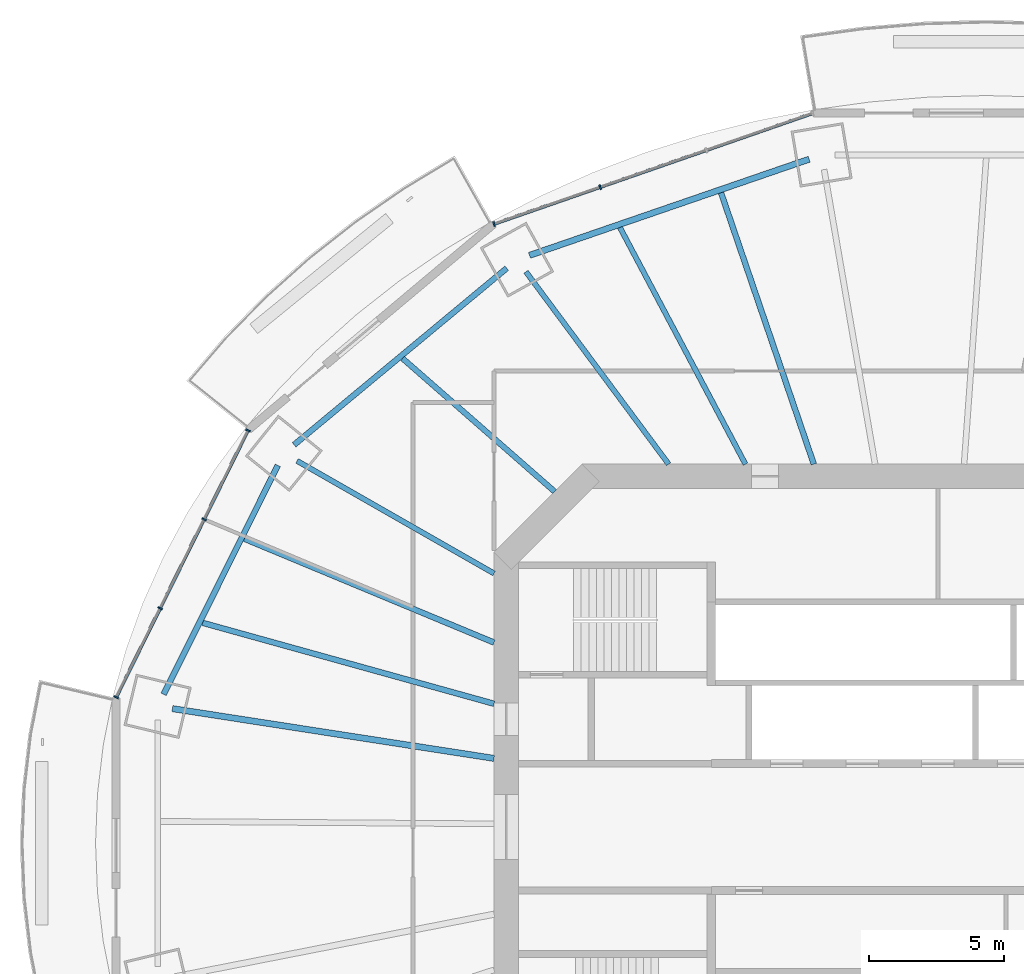
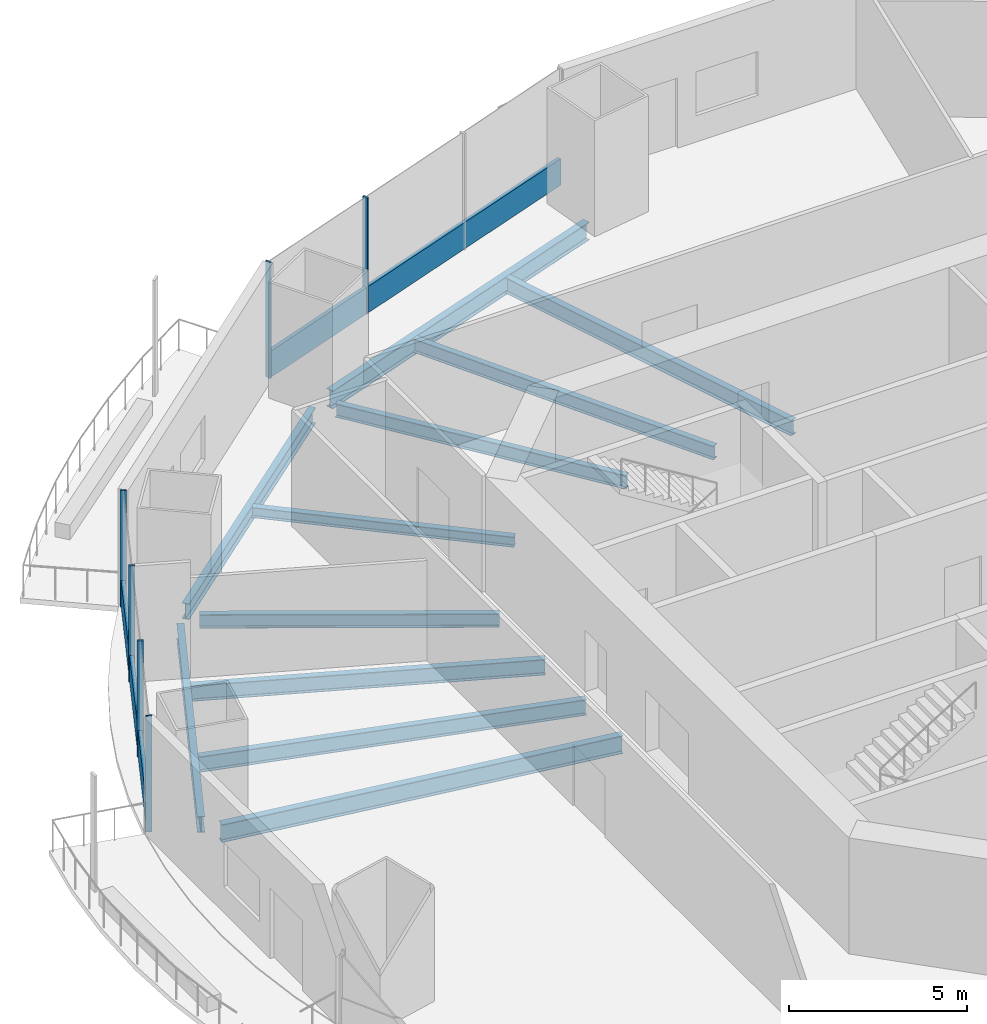
# One storey, part 6 of 21: 11 beams, 8 members, 2 elements without a shape of their own.
"""IFC4 building model written with IfcOpenShell, lengths in metres."""

from ifc_helpers import new_model, si_unit, direction, frame, origin, origin_2d, place, context, subcontext, project, spatial, rectangle, i_section, extrude, material, material_profile, profile_set, type_object, element, aggregate, save


model = new_model("IFC4")

# Units and contexts
model_context = context("Model", 3, precision=1e-05, world=origin(), true_north=direction((0.0, 1.0)))
body_context = subcontext(model_context, "Body", "Model", "MODEL_VIEW")
ifc_project = project(units=[si_unit("LENGTHUNIT", "METRE"), si_unit("AREAUNIT", "SQUARE_METRE"), si_unit("VOLUMEUNIT", "CUBIC_METRE"), si_unit("PLANEANGLEUNIT", "RADIAN"), si_unit("MASSUNIT", "GRAM", prefix="KILO")], contexts=[model_context])

# Site, building, storey
site_placement = place(None, origin())
site = spatial("IfcSite", under=ifc_project, at=site_placement, CompositionType="ELEMENT")
building_placement = place(site_placement, origin())
building = spatial("IfcBuilding", under=site, at=building_placement, Name="Marenthal Gate Tower", CompositionType="ELEMENT")
storey_placement = place(building_placement, frame((0.0, 0.0, 161.050048828125)))
storey = spatial("IfcBuildingStorey", under=building, at=storey_placement, Name="L34", CompositionType="ELEMENT", Elevation=161.050048828125)

# Curtain wall, members
ifc_material_1 = material(Name="Aluminium and glass", Category="aluminium")
curtain_wall_type = type_object("IfcCurtainWallType", Name="Curtain wall typical mid", PredefinedType="NOTDEFINED", material=ifc_material_1)
curtain_wall_1_placement = place(storey_placement, origin())
curtain_wall_1 = element("IfcCurtainWall", 1, at=curtain_wall_1_placement, inside=storey, type_object=curtain_wall_type, Name="Curtain wall L34 bay 5", PredefinedType="NOTDEFINED")
ifc_material_2 = material(Name="Aluminium", Category="aluminium")
ifc_material_profile_1 = material_profile(ifc_material_2, rectangle(XDim=0.179931640625, YDim=0.06005859375, at=origin_2d()), Name="60x180 aluminium mullion")
ifc_profile_set_1 = profile_set([ifc_material_profile_1], Name="Aluminium")
member_type_1 = type_object("IfcMemberType", Name="Mullion 60x180 typical mid", PredefinedType="MULLION", material=ifc_profile_set_1)
member_1_placement = place(storey_placement, frame((-12.51513671875, 23.718505859375, 0.0), z_axis=(0.0, 0.0, 1.0), x_axis=(0.328157600538, -0.944622987868, 0.0)))
member_1 = element("IfcMember", 2, at=member_1_placement, type_object=member_type_1, Name="Mullion L34 bay 5.3", PredefinedType="MULLION", context=body_context, shape_type="SweptSolid", body=[
    extrude(rectangle(XDim=0.179931640625, YDim=0.06005859375, at=origin_2d()), origin(), (0.0, 0.0, 1.0), 3.969970703125),
])
member_2_placement = place(storey_placement, frame((-16.44921875, 22.351806640625, 0.0), z_axis=(0.0, 0.0, 1.0), x_axis=(0.328157600538, -0.944622987868, 0.0)))
member_2 = element("IfcMember", 3, at=member_2_placement, type_object=member_type_1, Name="Mullion L34 bay 5.4", PredefinedType="MULLION", context=body_context, shape_type="SweptSolid", body=[
    extrude(rectangle(XDim=0.179931640625, YDim=0.06005859375, at=origin_2d()), origin(), (0.0, 0.0, 1.0), 3.969970703125),
])

curtain_wall_2_placement = place(storey_placement, origin())
curtain_wall_2 = element("IfcCurtainWall", 4, at=curtain_wall_2_placement, inside=storey, type_object=curtain_wall_type, Name="Curtain wall L34 bay 7", PredefinedType="NOTDEFINED")
member_3_placement = place(storey_placement, frame((-25.56787109375, 14.702392578125, 0.0), z_axis=(0.0, 0.0, 1.0), x_axis=(0.896608747182, -0.442823615536, 0.0)))
member_3 = element("IfcMember", 5, at=member_3_placement, type_object=member_type_1, Name="Mullion L34 bay 7.1", PredefinedType="MULLION", context=body_context, shape_type="SweptSolid", body=[
    extrude(rectangle(XDim=0.179931640625, YDim=0.06005859375, at=origin_2d()), origin(), (0.0, 0.0, 1.0), 3.969970703125),
])
member_4_placement = place(storey_placement, frame((-27.1962890625, 11.40478515625, 0.0), z_axis=(0.0, 0.0, 1.0), x_axis=(0.896608747182, -0.442823615536, 0.0)))
member_4 = element("IfcMember", 6, at=member_4_placement, type_object=member_type_1, Name="Mullion L34 bay 7.2", PredefinedType="MULLION", context=body_context, shape_type="SweptSolid", body=[
    extrude(rectangle(XDim=0.179931640625, YDim=0.06005859375, at=origin_2d()), origin(), (0.0, 0.0, 1.0), 3.969970703125),
])
member_5_placement = place(storey_placement, frame((-28.824951171875, 8.107421875, 0.0), z_axis=(0.0, 0.0, 1.0), x_axis=(0.896608747182, -0.442823615536, 0.0)))
member_5 = element("IfcMember", 7, at=member_5_placement, type_object=member_type_1, Name="Mullion L34 bay 7.3", PredefinedType="MULLION", context=body_context, shape_type="SweptSolid", body=[
    extrude(rectangle(XDim=0.179931640625, YDim=0.06005859375, at=origin_2d()), origin(), (0.0, 0.0, 1.0), 3.969970703125),
])
member_6_placement = place(storey_placement, frame((-30.45361328125, 4.809814453125, 0.0), z_axis=(0.0, 0.0, 1.0), x_axis=(0.896608747182, -0.442823615536, 0.0)))
member_6 = element("IfcMember", 8, at=member_6_placement, type_object=member_type_1, Name="Mullion L34 bay 7.4", PredefinedType="MULLION", context=body_context, shape_type="SweptSolid", body=[
    extrude(rectangle(XDim=0.179931640625, YDim=0.06005859375, at=origin_2d()), origin(), (0.0, 0.0, 1.0), 3.969970703125),
])

# Member
ifc_material_3 = material(Name="Aluminium", Category="aluminium")
ifc_material_profile_2 = material_profile(ifc_material_3, rectangle(XDim=0.1201171875, YDim=0.89990234375, at=origin_2d()), Name="120x900 aluminium transom")
ifc_profile_set_2 = profile_set([ifc_material_profile_2], Name="Aluminium")
member_type_2 = type_object("IfcMemberType", Name="Transom 120x900 typical mid", PredefinedType="USERDEFINED", material=ifc_profile_set_2)
member_7_placement = place(storey_placement, frame((-4.675048828125, 26.442138671875, 0.449951171875), z_axis=(-0.944620163821, -0.328165729628, 0.0), x_axis=(0.328165729628, -0.944620163821, 0.0)))
member_7 = element("IfcMember", 9, at=member_7_placement, type_object=member_type_2, Name="Transom L34 bay 5", ObjectType="TRANSOM", PredefinedType="USERDEFINED", context=body_context, shape_type="SweptSolid", body=[
    extrude(rectangle(XDim=0.1201171875, YDim=0.89990234375, at=origin_2d()), origin(), (0.0, 0.0, 1.0), 12.4345703125),
])

aggregate(curtain_wall_1, [member_1, member_2, member_7])

member_8_placement = place(storey_placement, frame((-25.5810546875, 14.675537109375, 0.449951171875), z_axis=(-0.442829775425, -0.896605704865, 0.0), x_axis=(0.896605704865, -0.442829775425, 0.0)))
member_8 = element("IfcMember", 10, at=member_8_placement, type_object=member_type_2, Name="Transom L34 bay 7", ObjectType="TRANSOM", PredefinedType="USERDEFINED", context=body_context, shape_type="SweptSolid", body=[
    extrude(rectangle(XDim=0.1201171875, YDim=0.89990234375, at=origin_2d()), origin(), (0.0, 0.0, 1.0), 10.973388671875),
])

aggregate(curtain_wall_2, [member_3, member_4, member_5, member_6, member_8])

# Beams
ifc_material_4 = material(Name="Steel S355", Category="steel")
ifc_material_profile_3 = material_profile(ifc_material_4, i_section(OverallWidth=0.205078125, OverallDepth=0.35302734375, WebThickness=0.009521484375, FlangeThickness=0.016845703125, FilletRadius=0.014892578125, at=origin_2d()), Name="W360X79")
ifc_profile_set_3 = profile_set([ifc_material_profile_3], Name="Steel S355")
beam_type_1 = type_object("IfcBeamType", Name="W360X79 beam", PredefinedType="BEAM", material=ifc_profile_set_3)
beam_1_placement = place(storey_placement, frame((-19.839599609375, 17.369140625, -0.3564453125), z_axis=(0.752394995709, -0.658712206075, 0.0), x_axis=(0.658712206075, 0.752394995709, 0.0)))
element("IfcBeam", 11, at=beam_1_placement, inside=storey, type_object=beam_type_1, Name="BM-L34-25", PredefinedType="BEAM", context=body_context, shape_type="SweptSolid", body=[
    extrude(i_section(OverallWidth=0.205078125, OverallDepth=0.35302734375, WebThickness=0.009521484375, FlangeThickness=0.016845703125, FilletRadius=0.014892578125, at=origin_2d()), origin(), (0.0, 0.0, 1.0), 7.492431640625),
])
ifc_material_5 = material(Name="Steel S355", Category="steel")
ifc_material_profile_4 = material_profile(ifc_material_5, i_section(OverallWidth=0.193115234375, OverallDepth=0.467041015625, WebThickness=0.011474609375, FlangeThickness=0.01904296875, FilletRadius=0.010009765625, at=origin_2d()), Name="W460X97")
ifc_profile_set_4 = profile_set([ifc_material_profile_4], Name="Steel S355")
beam_type_2 = type_object("IfcBeamType", Name="W460X97 beam", PredefinedType="BEAM", material=ifc_profile_set_4)
beam_2_placement = place(storey_placement, frame((-15.2666015625, 20.5791015625, -0.41357421875), z_axis=(0.595789127557, -0.80314090637, 0.0), x_axis=(0.80314090637, 0.595789127557, 0.0)))
element("IfcBeam", 12, at=beam_2_placement, inside=storey, type_object=beam_type_2, Name="BM-L34-06", PredefinedType="BEAM", context=body_context, shape_type="SweptSolid", body=[
    extrude(i_section(OverallWidth=0.193115234375, OverallDepth=0.467041015625, WebThickness=0.011474609375, FlangeThickness=0.01904296875, FilletRadius=0.010009765625, at=origin_2d()), origin(), (0.0, 0.0, 1.0), 8.876708984375),
])
beam_3_placement = place(storey_placement, frame((-23.751708984375, 13.572021484375, -0.41357421875), z_axis=(0.868246715097, -0.496132685603, 0.0), x_axis=(0.496132685603, 0.868246715097, 0.0)))
element("IfcBeam", 13, at=beam_3_placement, inside=storey, type_object=beam_type_2, Name="BM-L34-07", PredefinedType="BEAM", context=body_context, shape_type="SweptSolid", body=[
    extrude(i_section(OverallWidth=0.193115234375, OverallDepth=0.467041015625, WebThickness=0.011474609375, FlangeThickness=0.01904296875, FilletRadius=0.010009765625, at=origin_2d()), origin(), (0.0, 0.0, 1.0), 8.40966796875),
])
beam_4_placement = place(storey_placement, frame((-11.7822265625, 22.220458984375, -0.41357421875), z_axis=(0.468452605339, -0.883488628422, 0.0), x_axis=(0.883488628422, 0.468452605339, 0.0)))
element("IfcBeam", 14, at=beam_4_placement, inside=storey, type_object=beam_type_2, Name="BM-L34-24", PredefinedType="BEAM", context=body_context, shape_type="SweptSolid", body=[
    extrude(i_section(OverallWidth=0.193115234375, OverallDepth=0.467041015625, WebThickness=0.011474609375, FlangeThickness=0.01904296875, FilletRadius=0.010009765625, at=origin_2d()), origin(), (0.0, 0.0, 1.0), 9.92724609375),
])
ifc_material_6 = material(Name="Steel S355", Category="steel")
ifc_material_profile_5 = material_profile(ifc_material_6, i_section(OverallWidth=0.2099609375, OverallDepth=0.535888671875, WebThickness=0.010986328125, FlangeThickness=0.017333984375, FilletRadius=0.0126953125, at=origin_2d()), Name="W530X101")
ifc_profile_set_5 = profile_set([ifc_material_profile_5], Name="Steel S355")
beam_type_3 = type_object("IfcBeamType", Name="W530X101 beam", PredefinedType="BEAM", material=ifc_profile_set_5)
beam_5_placement = place(storey_placement, frame((-8.036376953125, 23.50927734375, -0.447998046875), z_axis=(0.323466388844, -0.946239660598, 0.0), x_axis=(0.946239660598, 0.323466388844, 0.0)))
element("IfcBeam", 15, at=beam_5_placement, inside=storey, type_object=beam_type_3, Name="BM-L34-23", PredefinedType="BEAM", context=body_context, shape_type="SweptSolid", body=[
    extrude(i_section(OverallWidth=0.2099609375, OverallDepth=0.535888671875, WebThickness=0.010986328125, FlangeThickness=0.017333984375, FilletRadius=0.0126953125, at=origin_2d()), origin(), (0.0, 0.0, 1.0), 10.630859375),
])
beam_6_placement = place(storey_placement, frame((-25.701416015625, 10.68505859375, -0.447998046875), z_axis=(0.923380867193, -0.38388510534, 0.0), x_axis=(0.38388510534, 0.923380867193, 0.0)))
element("IfcBeam", 16, at=beam_6_placement, inside=storey, type_object=beam_type_3, Name="BM-L34-26", PredefinedType="BEAM", context=body_context, shape_type="SweptSolid", body=[
    extrude(i_section(OverallWidth=0.2099609375, OverallDepth=0.535888671875, WebThickness=0.010986328125, FlangeThickness=0.017333984375, FilletRadius=0.0126953125, at=origin_2d()), origin(), (0.0, 0.0, 1.0), 10.01904296875),
])
beam_7_placement = place(storey_placement, frame((-27.25439453125, 7.5712890625, -0.447998046875), z_axis=(0.963512606845, -0.26766295308, 0.0), x_axis=(0.26766295308, 0.963512606845, 0.0)))
element("IfcBeam", 17, at=beam_7_placement, inside=storey, type_object=beam_type_3, Name="BM-L34-27", PredefinedType="BEAM", context=body_context, shape_type="SweptSolid", body=[
    extrude(i_section(OverallWidth=0.2099609375, OverallDepth=0.535888671875, WebThickness=0.010986328125, FlangeThickness=0.017333984375, FilletRadius=0.0126953125, at=origin_2d()), origin(), (0.0, 0.0, 1.0), 11.213623046875),
])
ifc_material_7 = material(Name="Steel S355", Category="steel")
ifc_material_profile_6 = material_profile(ifc_material_7, i_section(OverallWidth=0.2119140625, OverallDepth=0.5439453125, WebThickness=0.01318359375, FlangeThickness=0.021240234375, FilletRadius=0.0126953125, at=origin_2d()), Name="W530X123")
ifc_profile_set_6 = profile_set([ifc_material_profile_6], Name="Steel S355")
beam_type_4 = type_object("IfcBeamType", Name="W530X123 beam", PredefinedType="BEAM", material=ifc_profile_set_6)
beam_8_placement = place(storey_placement, frame((-15.978515625, 20.713623046875, -0.4521484375), z_axis=(-0.769269111774, -0.638924904563, 0.0), x_axis=(0.638924904563, -0.769269111774, 0.0)))
element("IfcBeam", 18, at=beam_8_placement, inside=storey, type_object=beam_type_4, Name="BM-L34-46", PredefinedType="BEAM", context=body_context, shape_type="SweptSolid", body=[
    extrude(i_section(OverallWidth=0.2119140625, OverallDepth=0.5439453125, WebThickness=0.01318359375, FlangeThickness=0.021240234375, FilletRadius=0.0126953125, at=origin_2d()), origin(), (0.0, 0.0, 1.0), 10.24560546875),
])
beam_9_placement = place(storey_placement, frame((-24.462890625, 13.406005859375, -0.4521484375), z_axis=(-0.446296506962, -0.894885147868, 0.0), x_axis=(0.894885147868, -0.446296506962, 0.0)))
element("IfcBeam", 19, at=beam_9_placement, inside=storey, type_object=beam_type_4, Name="BM-L34-47", PredefinedType="BEAM", context=body_context, shape_type="SweptSolid", body=[
    extrude(i_section(OverallWidth=0.2119140625, OverallDepth=0.5439453125, WebThickness=0.01318359375, FlangeThickness=0.021240234375, FilletRadius=0.0126953125, at=origin_2d()), origin(), (0.0, 0.0, 1.0), 9.4794921875),
])
ifc_material_8 = material(Name="Steel S355", Category="steel")
ifc_material_profile_7 = material_profile(ifc_material_8, i_section(OverallWidth=0.22900390625, OverallDepth=0.612060546875, WebThickness=0.011962890625, FlangeThickness=0.01953125, FilletRadius=0.0126953125, at=origin_2d()), Name="W610X125")
ifc_profile_set_7 = profile_set([ifc_material_profile_7], Name="Steel S355")
beam_type_5 = type_object("IfcBeamType", Name="W610X125 beam", PredefinedType="BEAM", material=ifc_profile_set_7)
beam_10_placement = place(storey_placement, frame((-28.3701171875, 4.39013671875, -0.486083984375), z_axis=(0.988236058897, -0.152936234737, 0.0), x_axis=(0.152936234737, 0.988236058897, 0.0)))
element("IfcBeam", 20, at=beam_10_placement, inside=storey, type_object=beam_type_5, Name="BM-L34-08", PredefinedType="BEAM", context=body_context, shape_type="SweptSolid", body=[
    extrude(i_section(OverallWidth=0.22900390625, OverallDepth=0.612060546875, WebThickness=0.011962890625, FlangeThickness=0.01953125, FilletRadius=0.0126953125, at=origin_2d()), origin(), (0.0, 0.0, 1.0), 12.06201171875),
])
beam_11_placement = place(storey_placement, frame((-4.772216796875, 24.753173828125, -0.486083984375), z_axis=(-0.945603539449, -0.325321296845, 0.0), x_axis=(0.325321296845, -0.945603539449, 0.0)))
element("IfcBeam", 21, at=beam_11_placement, inside=storey, type_object=beam_type_5, Name="BM-L34-45", PredefinedType="BEAM", context=body_context, shape_type="SweptSolid", body=[
    extrude(i_section(OverallWidth=0.22900390625, OverallDepth=0.612060546875, WebThickness=0.011962890625, FlangeThickness=0.01953125, FilletRadius=0.0126953125, at=origin_2d()), origin(), (0.0, 0.0, 1.0), 10.96044921875),
])

save(model, "model.ifc")
